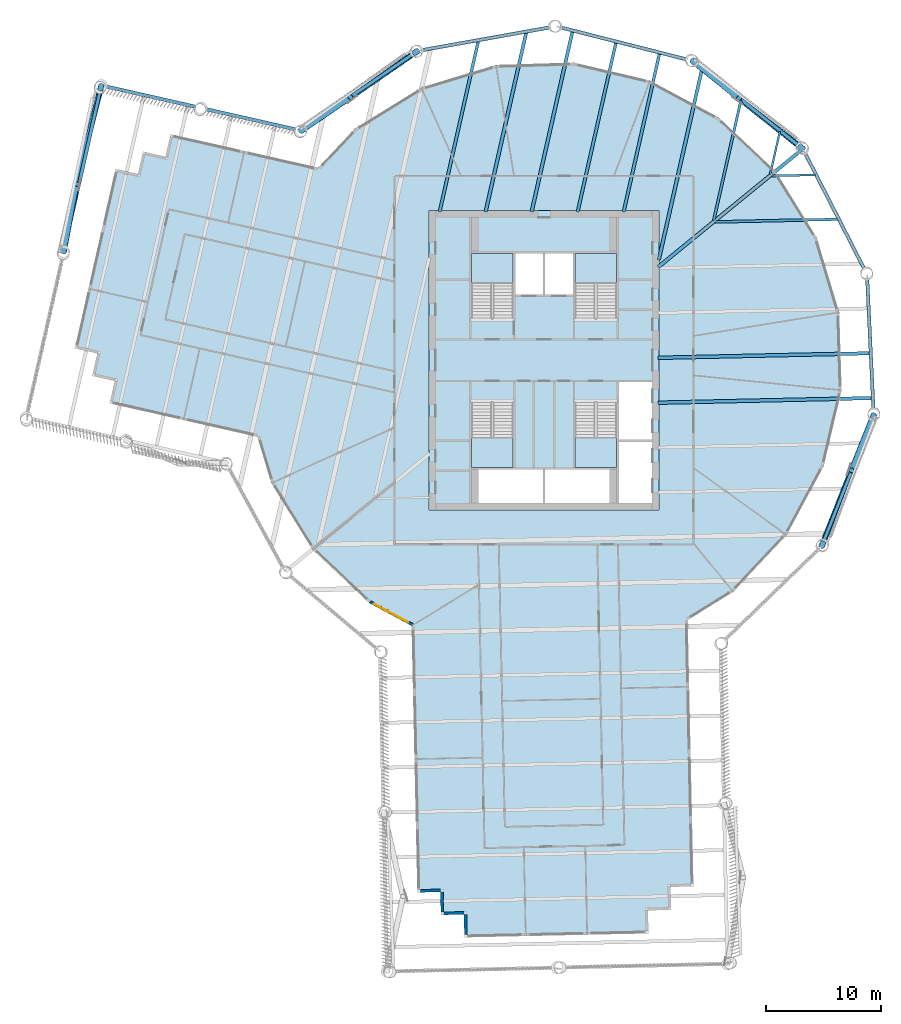
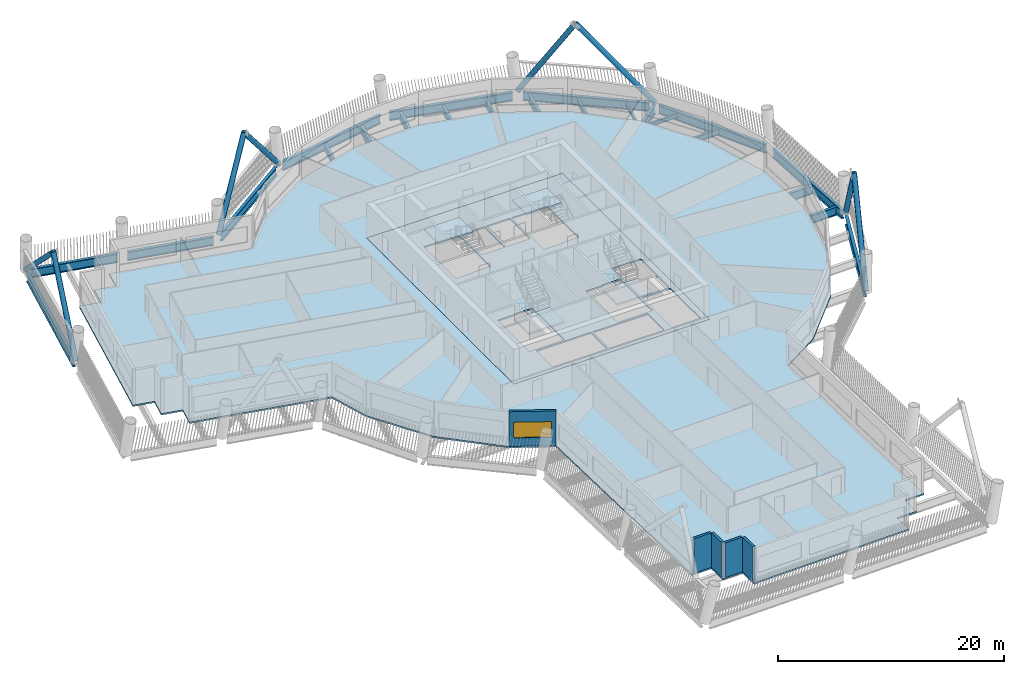
# One storey, part 2 of 23: 23 beams, 8 members, 6 slabs, 5 walls, 1 window, 1 opening, 4 elements without a shape of their own.
"""IFC4 building model written with IfcOpenShell, lengths in metres."""

from ifc_helpers import new_model, si_unit, direction, frame, frame_2d, origin, origin_2d, place, context, subcontext, project, spatial, polyline, rectangle, hollow_circle, i_section, outline, extrude, material, layer, layer_set, material_profile, profile_set, type_object, element, fill, aggregate, save


model = new_model("IFC4")

# Units and contexts
model_context = context("Model", 3, precision=1e-05, world=origin(), true_north=direction((0.0, 1.0)))
body_context = subcontext(model_context, "Body", "Model", "MODEL_VIEW")
ifc_project = project(units=[si_unit("LENGTHUNIT", "METRE"), si_unit("AREAUNIT", "SQUARE_METRE"), si_unit("VOLUMEUNIT", "CUBIC_METRE"), si_unit("PLANEANGLEUNIT", "RADIAN"), si_unit("MASSUNIT", "GRAM", prefix="KILO")], contexts=[model_context])

# Site, building, storey
site_placement = place(None, origin())
site = spatial("IfcSite", under=ifc_project, at=site_placement, CompositionType="ELEMENT")
building_placement = place(site_placement, origin())
building = spatial("IfcBuilding", under=site, at=building_placement, Name="Tarsis Ring Headquarters", CompositionType="ELEMENT")
storey_placement = place(building_placement, frame((0.0, 0.0, 231.60009765625)))
storey = spatial("IfcBuildingStorey", under=building, at=storey_placement, Name="L54", CompositionType="ELEMENT", Elevation=231.60009765625)

# Beams
ifc_material_1 = material(Name="Structural steel S355", Category="steel")
ifc_material_profile_1 = material_profile(ifc_material_1, i_section(OverallWidth=0.177734375, OverallDepth=0.406494140625, WebThickness=0.0078125, FlangeThickness=0.0126953125, at=origin_2d()), Name="W16x40")
ifc_profile_set_1 = profile_set([ifc_material_profile_1], Name="Structural steel S355")
beam_type_1 = type_object("IfcBeamType", Name="FB Floor beam W16x40", PredefinedType="JOIST", material=ifc_profile_set_1)
for number, where, z_axis, x_axis, name in (
    (1, (19.7763671875, 16.03173828125, -0.36328125), (0.999766237221, 0.021621075656, 0.0), (-0.021621075656, 0.999766237221, 0.0), "Floor beam FB1"),
    (2, (20.498779296875, 19.8876953125, -0.36328125), (-0.22088898252, -0.975298957962, 0.0), (0.975298957962, -0.22088898252, 0.0), "Floor beam FB1"),
):
    element("IfcBeam", number, at=place(storey_placement, frame(where, z_axis=z_axis, x_axis=x_axis)), inside=storey, type_object=beam_type_1, Name=name, PredefinedType="JOIST", context=body_context, shape_type="SweptSolid", body=[
        extrude(i_section(OverallWidth=0.177734375, OverallDepth=0.406494140625, WebThickness=0.0078125, FlangeThickness=0.0126953125, at=origin_2d()), origin(), (0.0, 0.0, 1.0), 3.805419921875),
    ])
ifc_material_profile_2 = material_profile(ifc_material_1, i_section(OverallWidth=0.228271484375, OverallDepth=0.607177734375, WebThickness=0.01123046875, FlangeThickness=0.017333984375, at=origin_2d()), Name="W24x76")
ifc_profile_set_2 = profile_set([ifc_material_profile_2], Name="Structural steel S355")
beam_type_2 = type_object("IfcBeamType", Name="FB Floor beam W24x76", PredefinedType="JOIST", material=ifc_profile_set_2)
beam_1_placement = place(storey_placement, frame((14.870361328125, 12.024658203125, -0.463623046875), z_axis=(0.999765856619, 0.021638667693, 0.0), x_axis=(-0.021638667693, 0.999765856619, 0.0)))
element("IfcBeam", 3, at=beam_1_placement, inside=storey, type_object=beam_type_2, Name="Floor beam FB4", PredefinedType="JOIST", context=body_context, shape_type="SweptSolid", body=[
    extrude(i_section(OverallWidth=0.228271484375, OverallDepth=0.607177734375, WebThickness=0.01123046875, FlangeThickness=0.017333984375, at=origin_2d()), origin(), (0.0, 0.0, 1.0), 10.6845703125),
])
beam_2_placement = place(storey_placement, frame((17.112060546875, 22.590087890625, -0.463623046875), z_axis=(-0.220862561267, -0.97530494156, 0.0), x_axis=(0.97530494156, -0.220862561267, 0.0)))
element("IfcBeam", 4, at=beam_2_placement, inside=storey, type_object=beam_type_2, Name="Floor beam FB4", PredefinedType="JOIST", context=body_context, shape_type="SweptSolid", body=[
    extrude(i_section(OverallWidth=0.228271484375, OverallDepth=0.607177734375, WebThickness=0.01123046875, FlangeThickness=0.017333984375, at=origin_2d()), origin(), (0.0, 0.0, 1.0), 10.684814453125),
])
ifc_material_profile_3 = material_profile(ifc_material_1, i_section(OverallWidth=0.2666015625, OverallDepth=0.7568359375, WebThickness=0.013916015625, FlangeThickness=0.019287109375, at=origin_2d()), Name="W30x108")
ifc_profile_set_3 = profile_set([ifc_material_profile_3], Name="Structural steel S355")
beam_type_3 = type_object("IfcBeamType", Name="FB Floor beam W30x108", PredefinedType="JOIST", material=ifc_profile_set_3)
beam_3_placement = place(storey_placement, frame((10.04296875, 26.68994140625, -0.53857421875), z_axis=(-0.220869357305, -0.975303402539, 0.0), x_axis=(0.975303402539, -0.220869357305, 0.0)))
element("IfcBeam", 5, at=beam_3_placement, inside=storey, type_object=beam_type_3, Name="Floor beam FB6", PredefinedType="JOIST", context=body_context, shape_type="SweptSolid", body=[
    extrude(i_section(OverallWidth=0.2666015625, OverallDepth=0.7568359375, WebThickness=0.013916015625, FlangeThickness=0.019287109375, at=origin_2d()), origin(), (0.0, 0.0, 1.0), 14.136474609375),
])
beam_4_placement = place(storey_placement, frame((6.26171875, 27.64990234375, -0.53857421875), z_axis=(-0.220877813885, -0.975301487405, 0.0), x_axis=(0.975301487405, -0.220877813885, 0.0)))
element("IfcBeam", 6, at=beam_4_placement, inside=storey, type_object=beam_type_3, Name="Floor beam FB6", PredefinedType="JOIST", context=body_context, shape_type="SweptSolid", body=[
    extrude(i_section(OverallWidth=0.2666015625, OverallDepth=0.7568359375, WebThickness=0.013916015625, FlangeThickness=0.019287109375, at=origin_2d()), origin(), (0.0, 0.0, 1.0), 15.120849609375),
])
beam_5_placement = place(storey_placement, frame((-5.709228515625, 27.76171875, -0.53857421875), z_axis=(-0.220882022951, -0.975300534162, 0.0), x_axis=(0.975300534162, -0.220882022951, 0.0)))
element("IfcBeam", 7, at=beam_5_placement, inside=storey, type_object=beam_type_3, Name="Floor beam FB6", PredefinedType="JOIST", context=body_context, shape_type="SweptSolid", body=[
    extrude(i_section(OverallWidth=0.2666015625, OverallDepth=0.7568359375, WebThickness=0.013916015625, FlangeThickness=0.019287109375, at=origin_2d()), origin(), (0.0, 0.0, 1.0), 15.2353515625),
])
ifc_material_profile_4 = material_profile(ifc_material_1, i_section(OverallWidth=0.2919921875, OverallDepth=0.835693359375, WebThickness=0.013916015625, FlangeThickness=0.018798828125, at=origin_2d()), Name="W33x118")
ifc_profile_set_4 = profile_set([ifc_material_profile_4], Name="Structural steel S355")
beam_type_4 = type_object("IfcBeamType", Name="FB Floor beam W33x118", PredefinedType="JOIST", material=ifc_profile_set_4)
beam_6_placement = place(storey_placement, frame((13.725341796875, 25.292724609375, -0.577880859375), z_axis=(-0.2208641332, -0.975304585586, 0.0), x_axis=(0.975304585586, -0.2208641332, 0.0)))
element("IfcBeam", 8, at=beam_6_placement, inside=storey, type_object=beam_type_4, Name="Floor beam FB7", PredefinedType="JOIST", context=body_context, shape_type="SweptSolid", body=[
    extrude(i_section(OverallWidth=0.2919921875, OverallDepth=0.835693359375, WebThickness=0.013916015625, FlangeThickness=0.018798828125, at=origin_2d()), origin(), (0.0, 0.0, 1.0), 16.966552734375),
])
beam_7_placement = place(storey_placement, frame((2.480224609375, 28.610107421875, -0.577880859375), z_axis=(-0.220867551573, -0.975303811467, 0.0), x_axis=(0.975303811467, -0.220867551573, 0.0)))
element("IfcBeam", 9, at=beam_7_placement, inside=storey, type_object=beam_type_4, Name="Floor beam FB7", PredefinedType="JOIST", context=body_context, shape_type="SweptSolid", body=[
    extrude(i_section(OverallWidth=0.2919921875, OverallDepth=0.835693359375, WebThickness=0.013916015625, FlangeThickness=0.018798828125, at=origin_2d()), origin(), (0.0, 0.0, 1.0), 16.105224609375),
])
beam_8_placement = place(storey_placement, frame((-1.54248046875, 28.503662109375, -0.577880859375), z_axis=(-0.2208782465, -0.97530138943, 0.0), x_axis=(0.97530138943, -0.2208782465, 0.0)))
element("IfcBeam", 10, at=beam_8_placement, inside=storey, type_object=beam_type_4, Name="Floor beam FB7", PredefinedType="JOIST", context=body_context, shape_type="SweptSolid", body=[
    extrude(i_section(OverallWidth=0.2919921875, OverallDepth=0.835693359375, WebThickness=0.013916015625, FlangeThickness=0.018798828125, at=origin_2d()), origin(), (0.0, 0.0, 1.0), 15.99609375),
])
ifc_material_profile_5 = material_profile(ifc_material_1, i_section(OverallWidth=0.3046875, OverallDepth=0.904296875, WebThickness=0.01513671875, FlangeThickness=0.02001953125, at=origin_2d()), Name="W36x135")
ifc_profile_set_5 = profile_set([ifc_material_profile_5], Name="Structural steel S355")
beam_type_5 = type_object("IfcBeamType", Name="FB Floor beam W36x135", PredefinedType="JOIST", material=ifc_profile_set_5)
beam_9_placement = place(storey_placement, frame((9.89990234375, 0.21435546875, -0.6123046875), z_axis=(0.999765878375, 0.021637662468, 0.0), x_axis=(-0.021637662468, 0.999765878375, 0.0)))
element("IfcBeam", 11, at=beam_9_placement, inside=storey, type_object=beam_type_5, Name="Floor beam FB8", PredefinedType="JOIST", context=body_context, shape_type="SweptSolid", body=[
    extrude(i_section(OverallWidth=0.3046875, OverallDepth=0.904296875, WebThickness=0.01513671875, FlangeThickness=0.02001953125, at=origin_2d()), origin(), (0.0, 0.0, 1.0), 18.447998046875),
])
beam_10_placement = place(storey_placement, frame((9.89990234375, -3.6865234375, -0.6123046875), z_axis=(0.999766005471, 0.021631789202, 0.0), x_axis=(-0.021631789202, 0.999766005471, 0.0)))
element("IfcBeam", 12, at=beam_10_placement, inside=storey, type_object=beam_type_5, Name="Floor beam FB8", PredefinedType="JOIST", context=body_context, shape_type="SweptSolid", body=[
    extrude(i_section(OverallWidth=0.3046875, OverallDepth=0.904296875, WebThickness=0.01513671875, FlangeThickness=0.02001953125, at=origin_2d()), origin(), (0.0, 0.0, 1.0), 18.633544921875),
])
ifc_material_profile_6 = material_profile(ifc_material_1, i_section(OverallWidth=0.309814453125, OverallDepth=0.949951171875, WebThickness=0.0244140625, FlangeThickness=0.0439453125, at=origin_2d()), Name="W36x256")
ifc_profile_set_6 = profile_set([ifc_material_profile_6], Name="Structural steel S355")
beam_type_6 = type_object("IfcBeamType", Name="FB Floor beam W36x256 spine", PredefinedType="BEAM", material=ifc_profile_set_6)
beam_11_placement = place(storey_placement, frame((22.452880859375, 18.338134765625, -0.635009765625), z_axis=(-0.774506990321, -0.632565349939, 0.0), x_axis=(0.632565349939, -0.774506990321, 0.0)))
element("IfcBeam", 13, at=beam_11_placement, inside=storey, type_object=beam_type_6, Name="Floor beam SB11", PredefinedType="BEAM", context=body_context, shape_type="SweptSolid", body=[
    extrude(i_section(OverallWidth=0.309814453125, OverallDepth=0.949951171875, WebThickness=0.0244140625, FlangeThickness=0.0439453125, at=origin_2d()), origin(), (0.0, 0.0, 1.0), 16.178466796875),
])

# Members
ifc_material_profile_7 = material_profile(ifc_material_1, hollow_circle(Radius=0.25390625, WallThickness=0.02001953125, at=origin_2d()), Name="CHS 508x20")
ifc_profile_set_7 = profile_set([ifc_material_profile_7], Name="Structural steel S355")
member_type = type_object("IfcMemberType", Name="XD X brace CHS 508x20", PredefinedType="BRACE", material=ifc_profile_set_7)
member_1_placement = place(storey_placement, frame((24.142333984375, -16.154296875, 0.0), z_axis=(0.246109792841, 0.625196768399, 0.740647669713), x_axis=(-0.930499642812, 0.366292799173, 0.0)))
element("IfcMember", 14, at=member_1_placement, inside=storey, type_object=member_type, Name="X brace XD2", PredefinedType="BRACE", context=body_context, shape_type="SweptSolid", body=[
    extrude(hollow_circle(Radius=0.25390625, WallThickness=0.02001953125, at=origin_2d()), origin(), (0.0, 0.0, 1.0), 10.531005859375),
])
member_2_placement = place(storey_placement, frame((28.65478515625, -4.766845703125, 0.0), z_axis=(-0.205210336702, -0.513221478913, 0.833362124945), x_axis=(0.928525503378, -0.371268621859, 0.0)))
element("IfcMember", 15, at=member_2_placement, inside=storey, type_object=member_type, Name="X brace XD2", PredefinedType="BRACE", context=body_context, shape_type="SweptSolid", body=[
    extrude(hollow_circle(Radius=0.25390625, WallThickness=0.02001953125, at=origin_2d()), origin(), (0.0, 0.0, 1.0), 9.359375),
])
member_3_placement = place(storey_placement, frame((22.498046875, 18.375244140625, 0.0), z_axis=(-0.526115571487, 0.417897210348, 0.740651285709), x_axis=(-0.621973003569, -0.783038685399, 0.0)))
element("IfcMember", 16, at=member_3_placement, inside=storey, type_object=member_type, Name="X brace XD2", PredefinedType="BRACE", context=body_context, shape_type="SweptSolid", body=[
    extrude(hollow_circle(Radius=0.25390625, WallThickness=0.02001953125, at=origin_2d()), origin(), (0.0, 0.0, 1.0), 10.531005859375),
])
member_4_placement = place(storey_placement, frame((12.923828125, 26.01513671875, 0.0), z_axis=(0.430976429956, -0.346069743144, 0.833363695935), x_axis=(0.626115571342, 0.779730268313, 0.0)))
element("IfcMember", 17, at=member_4_placement, inside=storey, type_object=member_type, Name="X brace XD2", PredefinedType="BRACE", context=body_context, shape_type="SweptSolid", body=[
    extrude(hollow_circle(Radius=0.25390625, WallThickness=0.02001953125, at=origin_2d()), origin(), (0.0, 0.0, 1.0), 9.359375),
])
member_5_placement = place(storey_placement, frame((-11.00732421875, 26.88232421875, 0.0), z_axis=(-0.553275718625, -0.381237710248, 0.740637419703), x_axis=(0.567398306954, -0.823443477882, 0.0)))
element("IfcMember", 18, at=member_5_placement, inside=storey, type_object=member_type, Name="X brace XD2", PredefinedType="BRACE", context=body_context, shape_type="SweptSolid", body=[
    extrude(hollow_circle(Radius=0.25390625, WallThickness=0.02001953125, at=origin_2d()), origin(), (0.0, 0.0, 1.0), 10.53125),
])
member_6_placement = place(storey_placement, frame((-21.109375, 19.955078125, 0.0), z_axis=(0.456803472334, 0.3111699761, 0.833368966087), x_axis=(-0.562982381908, 0.826468896971, 0.0)))
element("IfcMember", 19, at=member_6_placement, inside=storey, type_object=member_type, Name="X brace XD2", PredefinedType="BRACE", context=body_context, shape_type="SweptSolid", body=[
    extrude(hollow_circle(Radius=0.25390625, WallThickness=0.02001953125, at=origin_2d()), origin(), (0.0, 0.0, 1.0), 9.359375),
])
member_7_placement = place(storey_placement, frame((-38.47412109375, 23.8876953125, 0.0), z_axis=(-0.184090412993, -0.726939701702, 0.661565862128), x_axis=(0.969398907852, -0.245490850044, 0.0)))
element("IfcMember", 20, at=member_7_placement, inside=storey, type_object=member_type, Name="X brace XD2", PredefinedType="BRACE", context=body_context, shape_type="SweptSolid", body=[
    extrude(hollow_circle(Radius=0.25390625, WallThickness=0.02001953125, at=origin_2d()), origin(), (0.0, 0.0, 1.0), 11.789794921875),
])
member_8_placement = place(storey_placement, frame((-41.742919921875, 9.453125, 0.0), z_axis=(0.111853559858, 0.597157291448, 0.794287070534), x_axis=(-0.98290598896, 0.184108166215, 0.0)))
element("IfcMember", 21, at=member_8_placement, inside=storey, type_object=member_type, Name="X brace XD2", PredefinedType="BRACE", context=body_context, shape_type="SweptSolid", body=[
    extrude(hollow_circle(Radius=0.25390625, WallThickness=0.02001953125, at=origin_2d()), origin(), (0.0, 0.0, 1.0), 9.81982421875),
])

# Beams
beam_type_7 = type_object("IfcBeamType", Name="XG Ring girder W36x256", PredefinedType="BEAM", material=ifc_profile_set_6)
beam_12_placement = place(storey_placement, frame((24.3193359375, -15.7080078125, -0.47509765625), z_axis=(0.368372127186, 0.929678426077, 0.0), x_axis=(-0.929678426077, 0.368372127186, 0.0)))
element("IfcBeam", 22, at=beam_12_placement, inside=storey, type_object=beam_type_7, Name="Ring girder XG2", PredefinedType="BEAM", context=body_context, shape_type="SweptSolid", body=[
    extrude(i_section(OverallWidth=0.309814453125, OverallDepth=0.949951171875, WebThickness=0.0244140625, FlangeThickness=0.0439453125, at=origin_2d()), origin(), (0.0, 0.0, 1.0), 11.288818359375),
])
beam_13_placement = place(storey_placement, frame((28.6318359375, -4.287353515625, -0.47509765625), z_axis=(-0.047557956696, 0.998868480209, 0.0), x_axis=(-0.998868480209, -0.047557956696, 0.0)))
element("IfcBeam", 23, at=beam_13_placement, inside=storey, type_object=beam_type_7, Name="Ring girder XG2", PredefinedType="BEAM", context=body_context, shape_type="SweptSolid", body=[
    extrude(i_section(OverallWidth=0.309814453125, OverallDepth=0.949951171875, WebThickness=0.0244140625, FlangeThickness=0.0439453125, at=origin_2d()), origin(), (0.0, 0.0, 1.0), 11.28857421875),
])
beam_14_placement = place(storey_placement, frame((27.853759765625, 7.8955078125, -0.47509765625), z_axis=(-0.455068381735, 0.890456494134, 0.0), x_axis=(-0.890456494134, -0.455068381735, 0.0)))
element("IfcBeam", 24, at=beam_14_placement, inside=storey, type_object=beam_type_7, Name="Ring girder XG2", PredefinedType="BEAM", context=body_context, shape_type="SweptSolid", body=[
    extrude(i_section(OverallWidth=0.309814453125, OverallDepth=0.949951171875, WebThickness=0.0244140625, FlangeThickness=0.0439453125, at=origin_2d()), origin(), (0.0, 0.0, 1.0), 11.288818359375),
])
beam_15_placement = place(storey_placement, frame((22.123046875, 18.674560546875, -0.47509765625), z_axis=(-0.781642539746, 0.623726654921, 0.0), x_axis=(-0.623726654921, -0.781642539746, 0.0)))
element("IfcBeam", 25, at=beam_15_placement, inside=storey, type_object=beam_type_7, Name="Ring girder XG2", PredefinedType="BEAM", context=body_context, shape_type="SweptSolid", body=[
    extrude(i_section(OverallWidth=0.309814453125, OverallDepth=0.949951171875, WebThickness=0.0244140625, FlangeThickness=0.0439453125, at=origin_2d()), origin(), (0.0, 0.0, 1.0), 11.2890625),
])
beam_16_placement = place(storey_placement, frame((12.458740234375, 26.13330078125, -0.47509765625), z_axis=(-0.969246737725, 0.246090961657, 0.0), x_axis=(-0.246090961657, -0.969246737725, 0.0)))
element("IfcBeam", 26, at=beam_16_placement, inside=storey, type_object=beam_type_7, Name="Ring girder XG2", PredefinedType="BEAM", context=body_context, shape_type="SweptSolid", body=[
    extrude(i_section(OverallWidth=0.309814453125, OverallDepth=0.949951171875, WebThickness=0.0244140625, FlangeThickness=0.0439453125, at=origin_2d()), origin(), (0.0, 0.0, 1.0), 11.288818359375),
])
for number, where, z_axis, x_axis, name in (
    (27, (0.5791015625, 28.9453125, -0.47509765625), (-0.984513271939, -0.175310060681, 0.0), (0.175310060681, -0.984513271939, 0.0), "Ring girder XG2"),
    (28, (-11.4033203125, 26.61083984375, -0.47509765625), (-0.824729140048, -0.565527935257, 0.0), (0.565527935257, -0.824729140048, 0.0), "Ring girder XG2"),
):
    element("IfcBeam", number, at=place(storey_placement, frame(where, z_axis=z_axis, x_axis=x_axis)), inside=storey, type_object=beam_type_7, Name=name, PredefinedType="BEAM", context=body_context, shape_type="SweptSolid", body=[
        extrude(i_section(OverallWidth=0.309814453125, OverallDepth=0.949951171875, WebThickness=0.0244140625, FlangeThickness=0.0439453125, at=origin_2d()), origin(), (0.0, 0.0, 1.0), 11.28857421875),
    ])
for number, where, z_axis, x_axis, name in (
    (29, (-21.57763671875, 20.061279296875, -0.47509765625), (-0.975303179512, 0.220870342131, 0.0), (-0.220870342131, -0.975303179512, 0.0), "Ring girder XG2"),
    (30, (-30.260009765625, 22.02734375, -0.47509765625), (-0.975303179512, 0.220870342131, 0.0), (-0.220870342131, -0.975303179512, 0.0), "Ring girder XG2"),
):
    element("IfcBeam", number, at=place(storey_placement, frame(where, z_axis=z_axis, x_axis=x_axis)), inside=storey, type_object=beam_type_7, Name=name, PredefinedType="BEAM", context=body_context, shape_type="SweptSolid", body=[
        extrude(i_section(OverallWidth=0.309814453125, OverallDepth=0.949951171875, WebThickness=0.0244140625, FlangeThickness=0.0439453125, at=origin_2d()), origin(), (0.0, 0.0, 1.0), 7.94189453125),
    ])
beam_17_placement = place(storey_placement, frame((-38.580078125, 23.41943359375, -0.47509765625), z_axis=(-0.220875359629, -0.97530204322, 0.0), x_axis=(0.97530204322, -0.220875359629, 0.0)))
element("IfcBeam", 31, at=beam_17_placement, inside=storey, type_object=beam_type_7, Name="Ring girder XG2", PredefinedType="BEAM", context=body_context, shape_type="SweptSolid", body=[
    extrude(i_section(OverallWidth=0.309814453125, OverallDepth=0.949951171875, WebThickness=0.0244140625, FlangeThickness=0.0439453125, at=origin_2d()), origin(), (0.0, 0.0, 1.0), 13.83984375),
])

# Slab
ifc_material_2 = material(Name="Concrete C40/50", Category="concrete")
ifc_layer_1 = layer(ifc_material_2, 0.159912109375)
ifc_layer_set_1 = layer_set([ifc_layer_1], Name="Core floor slab 160 C40/50")
slab_type_1 = type_object("IfcSlabType", Name="Core floor slab 160 C40/50", PredefinedType="FLOOR", material=ifc_layer_set_1)
slab_1_placement = place(storey_placement, frame((0.0, 0.0, -0.16015625)))
element("IfcSlab", 32, at=slab_1_placement, inside=storey, type_object=slab_type_1, Name="L54 core floor slab", PredefinedType="FLOOR", context=body_context, shape_type="SweptSolid", body=[
    extrude(outline(polyline([(-10.0, -13.0), (10.0, -13.0), (10.0, 13.0), (-10.0, 13.0), (-10.0, -13.0)]), holes=[polyline([(-2.5, 5.699951171875), (-0.10009765625, 5.699951171875), (-0.10009765625, 9.300048828125), (-2.5, 9.300048828125), (-2.5, 5.699951171875)]), polyline([(0.10009765625, 5.699951171875), (2.5, 5.699951171875), (2.5, 9.300048828125), (0.10009765625, 9.300048828125), (0.10009765625, 5.699951171875)]), polyline([(6.5, -12.39990234375), (9.39990234375, -12.39990234375), (9.39990234375, -7.10009765625), (6.5, -7.10009765625), (6.5, -12.39990234375)]), polyline([(6.5, -6.89990234375), (9.39990234375, -6.89990234375), (9.39990234375, -1.89990234375), (6.5, -1.89990234375), (6.5, -6.89990234375)]), polyline([(-5.699951171875, -12.39990234375), (-0.10009765625, -12.39990234375), (-0.10009765625, -9.5), (-5.699951171875, -9.5), (-5.699951171875, -12.39990234375)]), polyline([(0.10009765625, -12.39990234375), (5.699951171875, -12.39990234375), (5.699951171875, -9.5), (0.10009765625, -9.5), (0.10009765625, -12.39990234375)]), polyline([(-2.699951171875, 3.760009765625), (-2.699951171875, 9.300048828125), (-6.300048828125, 9.300048828125), (-6.300048828125, 3.659912109375), (-4.4599609375, 3.659912109375), (-4.4599609375, 3.760009765625), (-2.699951171875, 3.760009765625)]), polyline([(6.300048828125, 3.760009765625), (6.300048828125, 9.300048828125), (2.699951171875, 9.300048828125), (2.699951171875, 3.659912109375), (4.5400390625, 3.659912109375), (4.5400390625, 3.760009765625), (6.300048828125, 3.760009765625)]), polyline([(-6.300048828125, -3.760009765625), (-6.300048828125, -9.300048828125), (-2.699951171875, -9.300048828125), (-2.699951171875, -3.659912109375), (-4.5400390625, -3.659912109375), (-4.5400390625, -3.760009765625), (-6.300048828125, -3.760009765625)]), polyline([(2.699951171875, -3.760009765625), (2.699951171875, -9.300048828125), (6.300048828125, -9.300048828125), (6.300048828125, -3.659912109375), (4.4599609375, -3.659912109375), (4.4599609375, -3.760009765625), (2.699951171875, -3.760009765625)])]), origin(), (0.0, 0.0, 1.0), 0.16015625),
])

# Stair, slab
ifc_material_3 = material(Name="Core stair 1760")
stair_type = type_object("IfcStairType", Name="Core stair 1760", PredefinedType="HALF_TURN_STAIR", material=ifc_material_3)
stair_1_placement = place(storey_placement, origin())
stair_1 = element("IfcStair", 33, at=stair_1_placement, inside=storey, type_object=stair_type, Name="L54 Firefighting stair", PredefinedType="HALF_TURN_STAIR")
ifc_layer_2 = layer(ifc_material_2, 0.199951171875)
ifc_layer_set_2 = layer_set([ifc_layer_2], Name="Core stair landing 200")
slab_type_2 = type_object("IfcSlabType", Name="Core stair landing 200", PredefinedType="LANDING", material=ifc_layer_set_2)
slab_2_placement = place(storey_placement, frame((0.0, 0.0, 1.75)))
slab_2 = element("IfcSlab", 34, at=slab_2_placement, type_object=slab_type_2, Name="Stair ST1 landing 1", PredefinedType="LANDING", context=body_context, shape_type="SweptSolid", body=[
    extrude(outline(polyline([(-2.699951171875, 6.739990234375), (-2.699951171875, 9.300048828125), (-6.300048828125, 9.300048828125), (-6.300048828125, 6.739990234375), (-2.699951171875, 6.739990234375)])), origin(), (0.0, 0.0, 1.0), 0.199951171875),
])
aggregate(stair_1, [slab_2])

stair_2_placement = place(storey_placement, origin())
stair_2 = element("IfcStair", 35, at=stair_2_placement, inside=storey, type_object=stair_type, Name="L54 Exit stair B", PredefinedType="HALF_TURN_STAIR")
slab_3_placement = place(storey_placement, frame((0.0, 0.0, 1.75)))
slab_3 = element("IfcSlab", 36, at=slab_3_placement, type_object=slab_type_2, Name="Stair ST2 landing 1", PredefinedType="LANDING", context=body_context, shape_type="SweptSolid", body=[
    extrude(outline(polyline([(6.300048828125, 6.739990234375), (6.300048828125, 9.300048828125), (2.699951171875, 9.300048828125), (2.699951171875, 6.739990234375), (6.300048828125, 6.739990234375)])), origin(), (0.0, 0.0, 1.0), 0.199951171875),
])
aggregate(stair_2, [slab_3])

stair_3_placement = place(storey_placement, origin())
stair_3 = element("IfcStair", 37, at=stair_3_placement, inside=storey, type_object=stair_type, Name="L54 Exit stair C", PredefinedType="HALF_TURN_STAIR")
slab_4_placement = place(storey_placement, frame((0.0, 0.0, 1.75)))
slab_4 = element("IfcSlab", 38, at=slab_4_placement, type_object=slab_type_2, Name="Stair ST3 landing 1", PredefinedType="LANDING", context=body_context, shape_type="SweptSolid", body=[
    extrude(outline(polyline([(-6.300048828125, -6.739990234375), (-6.300048828125, -9.300048828125), (-2.699951171875, -9.300048828125), (-2.699951171875, -6.739990234375), (-6.300048828125, -6.739990234375)])), origin(), (0.0, 0.0, 1.0), 0.199951171875),
])
aggregate(stair_3, [slab_4])

stair_4_placement = place(storey_placement, origin())
stair_4 = element("IfcStair", 39, at=stair_4_placement, inside=storey, type_object=stair_type, Name="L54 Exit stair D", PredefinedType="HALF_TURN_STAIR")
slab_5_placement = place(storey_placement, frame((0.0, 0.0, 1.75)))
slab_5 = element("IfcSlab", 40, at=slab_5_placement, type_object=slab_type_2, Name="Stair ST4 landing 1", PredefinedType="LANDING", context=body_context, shape_type="SweptSolid", body=[
    extrude(outline(polyline([(2.699951171875, -6.739990234375), (2.699951171875, -9.300048828125), (6.300048828125, -9.300048828125), (6.300048828125, -6.739990234375), (2.699951171875, -6.739990234375)])), origin(), (0.0, 0.0, 1.0), 0.199951171875),
])
aggregate(stair_4, [slab_5])

# Slab
ifc_material_4 = material(Name="Concrete C35/45", Category="concrete")
ifc_layer_3 = layer(ifc_material_4, 0.159912109375)
ifc_layer_set_3 = layer_set([ifc_layer_3], Name="FS Composite floor slab 160")
slab_type_3 = type_object("IfcSlabType", Name="FS Composite floor slab 160", PredefinedType="FLOOR", material=ifc_layer_set_3)
slab_6_placement = place(storey_placement, frame((0.0, 0.0, -0.16015625)))
element("IfcSlab", 41, at=slab_6_placement, inside=storey, type_object=slab_type_3, Name="Floor slab L54", PredefinedType="FLOOR", context=body_context, shape_type="SweptSolid", body=[
    extrude(outline(polyline([(-24.91455078125, -6.66162109375), (-23.707763671875, -10.674560546875), (-20.136962890625, -16.44677734375), (-15.194091796875, -21.098388671875), (-11.503173828125, -23.082275390625), (-11.001708984375, -46.2490234375), (-9.002197265625, -46.20556640625), (-8.958984375, -48.205078125), (-6.95947265625, -48.161865234375), (-6.916015625, -50.161376953125), (9.080078125, -49.815185546875), (9.036865234375, -47.815673828125), (11.036376953125, -47.7724609375), (10.9931640625, -45.772705078125), (12.99267578125, -45.7294921875), (12.49169921875, -22.583740234375), (16.44677734375, -20.136962890625), (21.098388671875, -15.194091796875), (24.31201171875, -9.2158203125), (25.86865234375, -2.609375), (25.66259765625, 4.1748046875), (23.707763671875, 10.674560546875), (20.136962890625, 16.44677734375), (15.194091796875, 21.098388671875), (9.2158203125, 24.31201171875), (2.609375, 25.86865234375), (-4.1748046875, 25.66259765625), (-10.674560546875, 23.707763671875), (-16.44677734375, 20.136962890625), (-19.634033203125, 16.750244140625), (-32.46044921875, 19.65478515625), (-32.90234375, 17.704345703125), (-34.852783203125, 18.14599609375), (-35.294677734375, 16.1953125), (-37.2451171875, 16.63720703125), (-40.779052734375, 1.0322265625), (-38.828369140625, 0.590576171875), (-39.270263671875, -1.360107421875), (-37.319580078125, -1.8017578125), (-37.76123046875, -3.75244140625), (-24.91455078125, -6.66162109375)]), holes=[polyline([(-10.0, -13.0), (-10.0, 13.0), (10.0, 13.0), (10.0, -13.0), (-10.0, -13.0)])]), origin(), (0.0, 0.0, 1.0), 0.16015625),
])

# Wall, opening, window
ifc_material_5 = material(Name="Terracotta clad insulated panel wall", Category="masonry")
ifc_layer_4 = layer(ifc_material_5, 0.25)
ifc_layer_set_4 = layer_set([ifc_layer_4], Name="Facade wall terracotta panel 250")
wall_type = type_object("IfcWallType", Name="Facade wall terracotta panel 250", PredefinedType="STANDARD", material=ifc_layer_set_4)
wall_1_placement = place(storey_placement, frame((-15.10595703125, -21.003662109375, 0.0), z_axis=(0.0, 0.0, 1.0), x_axis=(0.880798988375, -0.473490382243, 0.0)))
wall_1 = element("IfcWall", 42, at=wall_1_placement, inside=storey, type_object=wall_type, Name="External wall L54-05", PredefinedType="STANDARD", context=body_context, shape_type="SweptSolid", body=[
    extrude(rectangle(XDim=4.157470703125, YDim=0.25, at=frame_2d((2.07861328125, 0.0))), origin(), (0.0, 0.0, 1.0), 3.739990234375),
])
opening_placement = place(wall_1_placement, frame((0.38720703125, 0.0, 0.89990234375)))
opening = element("IfcOpeningElement", 43, at=opening_placement, cuts=wall_1, Name="Opening WN01", PredefinedType="OPENING", context=body_context, shape_type="SweptSolid", body=[
    extrude(rectangle(XDim=3.35009765625, YDim=1.699951171875, at=frame_2d((1.675048828125, 0.85009765625))), frame((0.0, 0.135009765625, 0.0), z_axis=(0.0, -1.0, 0.0), x_axis=(1.0, 0.0, 0.0)), (0.0, 0.0, 1.0), 0.27001953125),
])
ifc_material_6 = material(Name="Aluminium framed double glazing", Category="aluminium")
window_type = type_object("IfcWindowType", Name="Facade window 3350 x 1700", PartitioningType="SINGLE_PANEL", PredefinedType="WINDOW", material=ifc_material_6)
window_placement = place(opening_placement, origin())
window = element("IfcWindow", 44, at=window_placement, inside=storey, type_object=window_type, Name="Window L54-05.1", OverallHeight=1.699951171875, OverallWidth=3.35009765625, PartitioningType="SINGLE_PANEL", PredefinedType="WINDOW", context=body_context, shape_type="SweptSolid", body=[
    extrude(rectangle(XDim=3.35009765625, YDim=1.699951171875, at=frame_2d((1.675048828125, 0.85009765625))), frame((0.0, 0.030029296875, 0.0), z_axis=(0.0, -1.0, 0.0), x_axis=(1.0, 0.0, 0.0)), (0.0, 0.0, 1.0), 0.06005859375),
])
fill(opening, window)

# Walls
wall_2_placement = place(storey_placement, frame((-10.75439453125, -46.11865234375, 0.0), z_axis=(0.0, 0.0, 1.0), x_axis=(0.999763129343, 0.021764310379, 0.0)))
element("IfcWall", 45, at=wall_2_placement, inside=storey, type_object=wall_type, Name="External wall L54-07", PredefinedType="STANDARD", context=body_context, shape_type="SweptSolid", body=[
    extrude(rectangle(XDim=1.75, YDim=0.25, at=frame_2d((0.875, 0.0))), origin(), (0.0, 0.0, 1.0), 3.739990234375),
])
wall_3_placement = place(storey_placement, frame((-8.877197265625, -46.202880859375, 0.0), z_axis=(0.0, 0.0, 1.0), x_axis=(0.02162184515, -0.99976622058, 0.0)))
element("IfcWall", 46, at=wall_3_placement, inside=storey, type_object=wall_type, Name="External wall L54-08", PredefinedType="STANDARD", context=body_context, shape_type="SweptSolid", body=[
    extrude(rectangle(XDim=1.750244140625, YDim=0.25, at=frame_2d((0.875, 0.0))), origin(), (0.0, 0.0, 1.0), 3.739990234375),
])
for number, where, z_axis, x_axis, name in (
    (47, (-8.711669921875, -48.07470703125, 0.0), (0.0, 0.0, 1.0), (0.999766155351, 0.021624861021, 0.0), "External wall L54-09"),
    (48, (-6.83447265625, -48.1591796875, 0.0), (0.0, 0.0, 1.0), (0.021624861021, -0.999766155351, 0.0), "External wall L54-10"),
):
    element("IfcWall", number, at=place(storey_placement, frame(where, z_axis=z_axis, x_axis=x_axis)), inside=storey, type_object=wall_type, Name=name, PredefinedType="STANDARD", context=body_context, shape_type="SweptSolid", body=[
        extrude(rectangle(XDim=1.75, YDim=0.25, at=frame_2d((0.875, 0.0))), origin(), (0.0, 0.0, 1.0), 3.739990234375),
    ])

save(model, "model.ifc")
